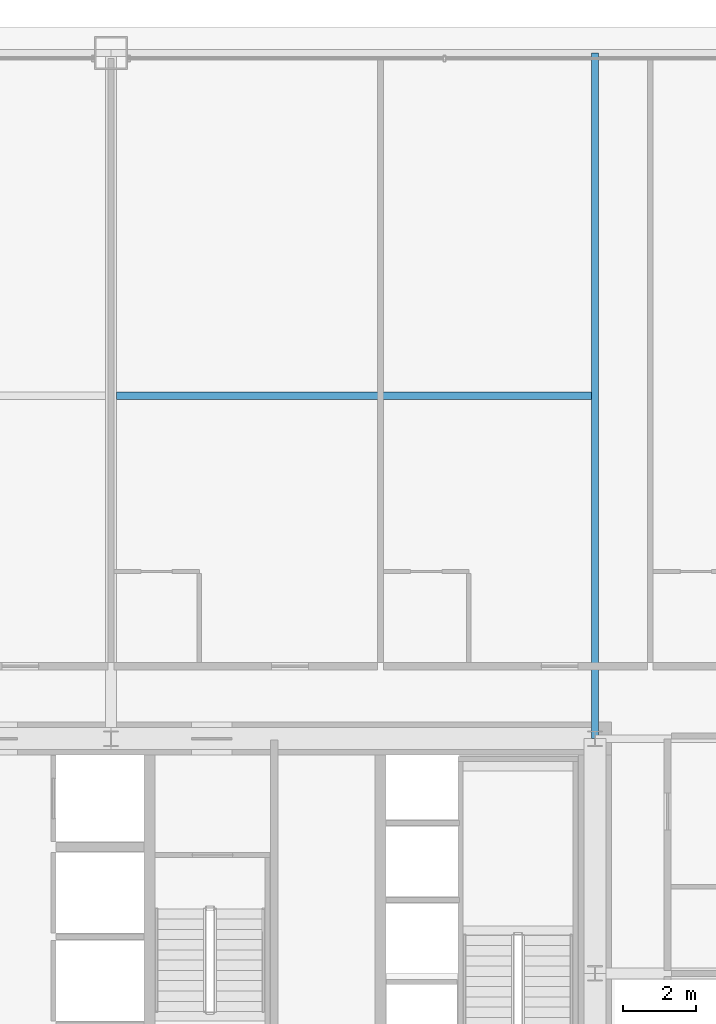
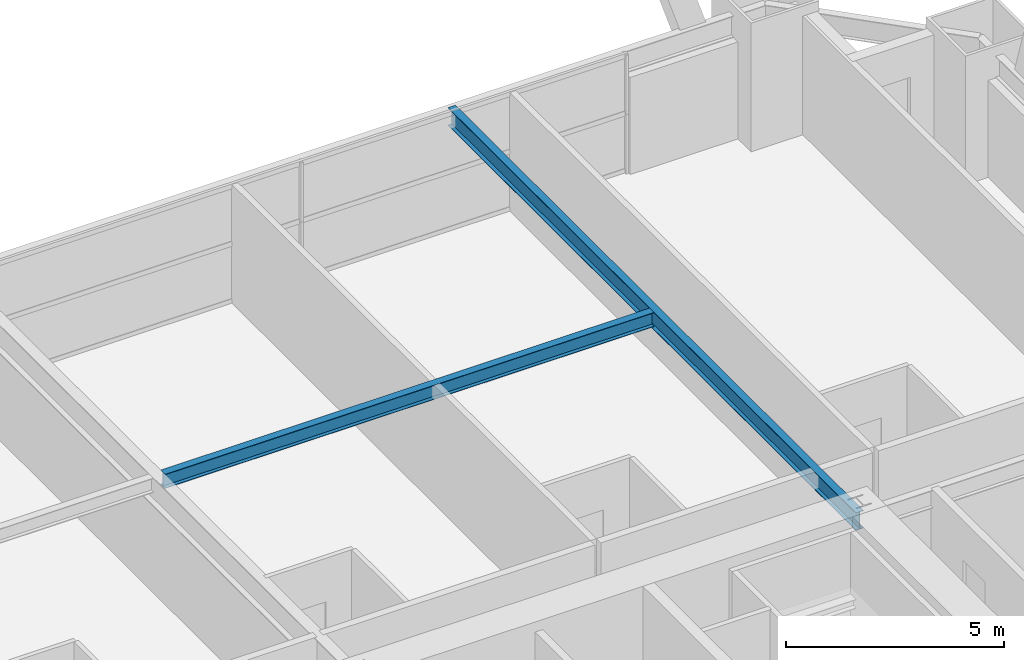
# One storey, part 31 of 43: 2 beams.
"""IFC4 building model written with IfcOpenShell, lengths in metres."""

from ifc_helpers import new_model, si_unit, direction, frame, origin, origin_2d, place, context, subcontext, project, spatial, i_section, extrude, source, transform, mapped, material, material_profile, profile_set, type_object, element, save


model = new_model("IFC4")

# Units and contexts
model_context = context("Model", 3, precision=1e-05, world=origin(), true_north=direction((0.0, 1.0)))
body_context = subcontext(model_context, "Body", "Model", "MODEL_VIEW")
ifc_project = project(units=[si_unit("LENGTHUNIT", "METRE"), si_unit("AREAUNIT", "SQUARE_METRE"), si_unit("VOLUMEUNIT", "CUBIC_METRE"), si_unit("PLANEANGLEUNIT", "RADIAN"), si_unit("MASSUNIT", "GRAM", prefix="KILO"), si_unit("THERMODYNAMICTEMPERATUREUNIT", "KELVIN"), si_unit("POWERUNIT", "WATT")], contexts=[model_context])

# Site, building, storey
site_placement = place(None, origin())
site = spatial("IfcSite", under=ifc_project, at=site_placement, CompositionType="ELEMENT")
building_placement = place(site_placement, origin())
building = spatial("IfcBuilding", under=site, at=building_placement, Name="Yuzanri Waterfront Tower", CompositionType="ELEMENT")
storey_placement = place(building_placement, frame((0.0, 0.0, 37.800048828125)))
storey = spatial("IfcBuildingStorey", under=building, at=storey_placement, Name="L09", CompositionType="ELEMENT", Elevation=37.800048828125)

# Beams
ifc_material_1 = material(Name="Steel Q355B", Category="steel")
ifc_material_profile_1 = material_profile(ifc_material_1, i_section(OverallWidth=0.199951171875, OverallDepth=0.5, WebThickness=0.010009765625, FlangeThickness=0.01611328125, at=origin_2d()), Name="HN 500x200x10x16")
ifc_profile_set_1 = profile_set([ifc_material_profile_1], Name="Steel Q355B")
beam_type_1 = type_object("IfcBeamType", Name="Secondary Floor Beam Q355B HN 500x200", PredefinedType="BEAM", material=ifc_profile_set_1)
shared_shape_1 = source(origin(), body_context, "Body", "SweptSolid", [
    extrude(i_section(OverallWidth=0.199951171875, OverallDepth=0.5, WebThickness=0.010009765625, FlangeThickness=0.01611328125, at=origin_2d()), origin(), (0.0, 0.0, 1.0), 18.699951171875),
])
beam_1_placement = place(storey_placement, frame((50.199951171875, 32.199951171875, 3.070068359375), z_axis=(0.0, 1.0, 0.0), x_axis=(-1.0, 0.0, 0.0)))
element("IfcBeam", 1, at=beam_1_placement, inside=storey, type_object=beam_type_1, Name="L09 North-East Core Line Beam", PredefinedType="BEAM", context=body_context, shape_type="MappedRepresentation", body=[
    mapped(shared_shape_1, transform((0.0, 0.0, 0.0), scale=1.0)),
])
ifc_material_2 = material(Name="Steel Q355B", Category="steel")
ifc_material_profile_2 = material_profile(ifc_material_2, i_section(OverallWidth=0.199951171875, OverallDepth=0.39990234375, WebThickness=0.008056640625, FlangeThickness=0.012939453125, at=origin_2d()), Name="HN 400x200x8x13")
ifc_profile_set_2 = profile_set([ifc_material_profile_2], Name="Steel Q355B")
beam_type_2 = type_object("IfcBeamType", Name="Floor Joist Q355B HN 400x200", PredefinedType="JOIST", material=ifc_profile_set_2)
shared_shape_2 = source(origin(), body_context, "Body", "SweptSolid", [
    extrude(i_section(OverallWidth=0.199951171875, OverallDepth=0.39990234375, WebThickness=0.008056640625, FlangeThickness=0.012939453125, at=origin_2d()), origin(), (0.0, 0.0, 1.0), 12.9501953125),
])
beam_2_placement = place(storey_placement, frame((37.14990234375, 41.550048828125, 3.119873046875), z_axis=(1.0, 0.0, 0.0), x_axis=(0.0, 1.0, 0.0)))
element("IfcBeam", 2, at=beam_2_placement, inside=storey, type_object=beam_type_2, Name="L09 North Bay Joist E", PredefinedType="JOIST", context=body_context, shape_type="MappedRepresentation", body=[
    mapped(shared_shape_2, transform((0.0, 0.0, 0.0), scale=1.0)),
])

save(model, "model.ifc")
